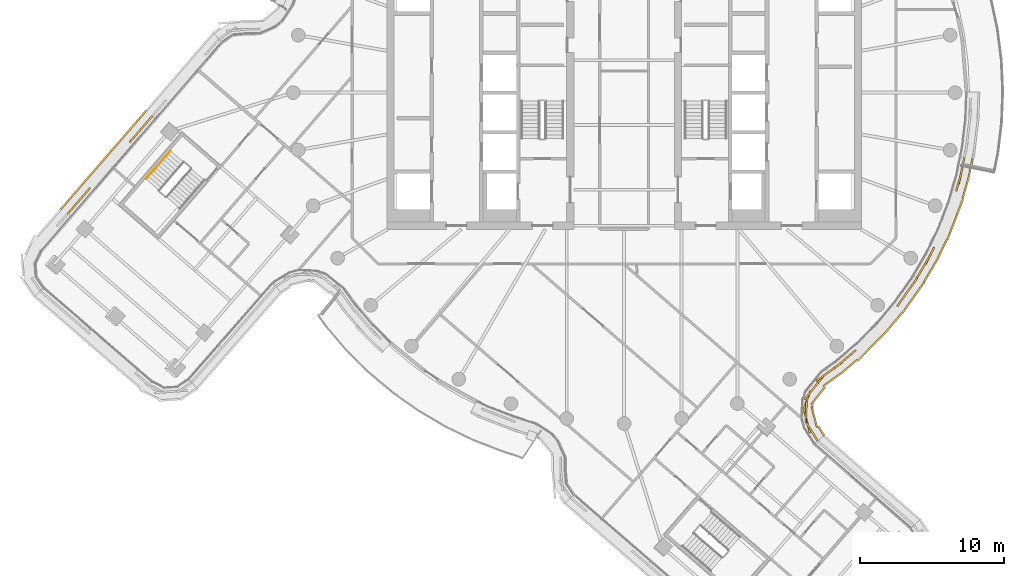
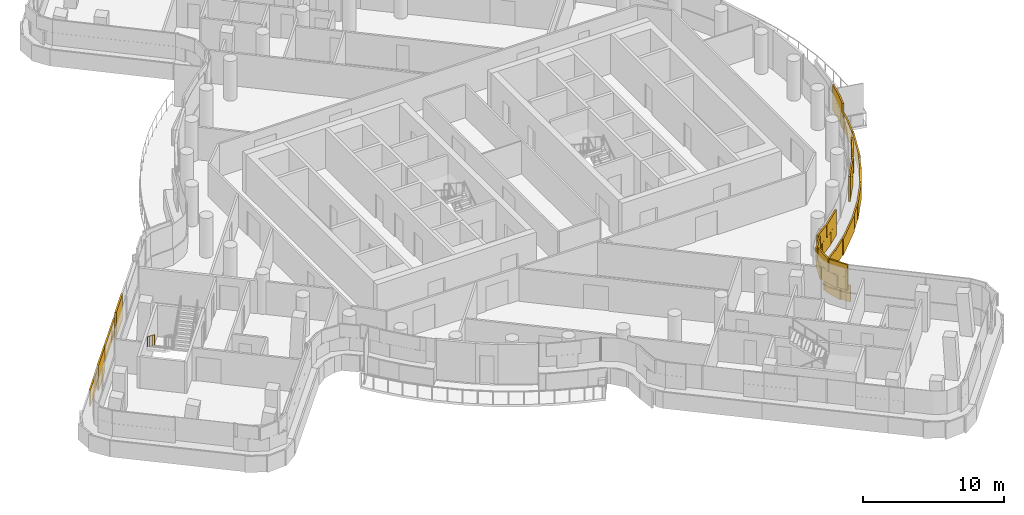
# One storey, part 27 of 32: 3 coverings, 1 railing.
"""IFC4 building model written with IfcOpenShell, lengths in metres."""

import ifcopenshell
import ifcopenshell.guid

model = None  # the IFC model being written
_history = None  # IfcOwnerHistory: only IFC2X3 demands one
_inside = {}  # id of a spatial element -> (the spatial element, [elements in it])
_under = {}  # id of a project, library or spatial element -> (it, [spatial elements below it])
_declared = {}  # id of a project -> (the project, [libraries it declares])
_typed = {}  # id of a type object -> (the type object, [elements of that type])
_made_of = {}  # id of a material, layer set ... -> (it, [elements and type objects made of it])


def new_model(schema):
    """Start an empty IFC model of exactly this schema.

    Asked for "IFC4X3", IfcOpenShell would pick the latest addendum, in which some entities
    have other attributes; the version numbers below select the first issue.
    IFC2X3 requires an IfcOwnerHistory on every rooted entity: one is made here for all.
    """
    global model, _history
    if schema == "IFC4X3":
        model = ifcopenshell.file(schema_version=(4, 3, 0, 0))
    else:
        model = ifcopenshell.file(schema=schema)
    _inside.clear()
    _under.clear()
    _declared.clear()
    _typed.clear()
    _made_of.clear()
    _history = None
    if model.schema == "IFC2X3":
        org = make("IfcOrganization", Name="unknown")
        user = make(
            "IfcPersonAndOrganization",
            ThePerson=make("IfcPerson", FamilyName="unknown"),
            TheOrganization=org,
        )
        app = make(
            "IfcApplication",
            ApplicationDeveloper=org,
            Version="unknown",
            ApplicationFullName="unknown",
            ApplicationIdentifier="unknown",
        )
        _history = make(
            "IfcOwnerHistory",
            OwningUser=user,
            OwningApplication=app,
            ChangeAction="ADDED",
            CreationDate=0,
        )
    return model


def make(cls, **values):
    """One entity of the class cls with the attributes given. An attribute that is None is left unset."""
    return model.create_entity(
        cls, **{name: value for name, value in values.items() if value is not None}
    )


def rooted(cls, **values):
    """An entity with a GlobalId (a new one), such as an element, a storey or a relation."""
    return make(cls, GlobalId=ifcopenshell.guid.new(), OwnerHistory=_history, **values)


def si_unit(unit_type, name, prefix=None):
    """IfcSIUnit, for example si_unit("LENGTHUNIT", "METRE", prefix="MILLI")."""
    return make("IfcSIUnit", UnitType=unit_type, Prefix=prefix, Name=name)


def assignment(units):
    """IfcUnitAssignment: the units of a project."""
    return None if units is None else make("IfcUnitAssignment", Units=units)


def point(xyz):
    """IfcCartesianPoint."""
    return None if xyz is None else make("IfcCartesianPoint", Coordinates=xyz)


def direction(xyz):
    """IfcDirection."""
    return None if xyz is None else make("IfcDirection", DirectionRatios=xyz)


def frame(location, z_axis=None, x_axis=None):
    """IfcAxis2Placement3D, a coordinate frame: its origin and axes. An axis left out is left unset."""
    return make(
        "IfcAxis2Placement3D",
        Location=point(location),
        Axis=direction(z_axis),
        RefDirection=direction(x_axis),
    )


def frame_2d(location, x_axis=None):
    """IfcAxis2Placement2D, a coordinate frame in the plane: its origin and x axis."""
    return make(
        "IfcAxis2Placement2D", Location=point(location), RefDirection=direction(x_axis)
    )


def origin():
    """The frame at (0, 0, 0) with its axes left unset."""
    return frame((0.0, 0.0, 0.0))


def origin_2d():
    """The frame at (0, 0) in the plane with its x axis left unset."""
    return frame_2d((0.0, 0.0))


def place(relative_to, where):
    """IfcLocalPlacement: puts the frame where relative to a parent placement (None: the world)."""
    return make(
        "IfcLocalPlacement", PlacementRelTo=relative_to, RelativePlacement=where
    )


def context(
    kind, dimensions, precision=None, world=None, true_north=None, identifier=None
):
    """IfcGeometricRepresentationContext, for example the 3D "Model" context."""
    return make(
        "IfcGeometricRepresentationContext",
        ContextIdentifier=identifier,
        ContextType=kind,
        CoordinateSpaceDimension=dimensions,
        Precision=precision,
        WorldCoordinateSystem=world,
        TrueNorth=true_north,
    )


def subcontext(parent, identifier, kind, view, scale=None):
    """IfcGeometricRepresentationSubContext, for example "Body" below "Model"."""
    return make(
        "IfcGeometricRepresentationSubContext",
        ContextIdentifier=identifier,
        ContextType=kind,
        ParentContext=parent,
        TargetScale=scale,
        TargetView=view,
    )


def project(units=None, contexts=None):
    """IfcProject with its units and contexts."""
    return rooted(
        "IfcProject",
        Name="project",
        RepresentationContexts=contexts,
        UnitsInContext=assignment(units),
    )


def spatial(cls, under=None, at=None, **own):
    """A site, building, storey or space (cls), placed at a placement, below another one or the project."""
    s = rooted(cls, ObjectPlacement=at, **own)
    if under is not None:
        _under.setdefault(under.id(), (under, []))[1].append(s)
    return s


def profile(cls, at=None, kind="AREA", **sizes):
    """A parametric profile (cls). Its sizes go by their IFC names, for example OverallWidth=200.0."""
    return make(cls, ProfileType=kind, Position=at, **sizes)


def rectangle(**sizes):
    """IfcRectangleProfileDef."""
    return profile("IfcRectangleProfileDef", **sizes)


def circle(**sizes):
    """IfcCircleProfileDef."""
    return profile("IfcCircleProfileDef", **sizes)


def extrude(swept, where, along, depth):
    """IfcExtrudedAreaSolid: the profile swept, set in the frame where, extruded along a direction by depth."""
    return make(
        "IfcExtrudedAreaSolid",
        SweptArea=swept,
        Position=where,
        ExtrudedDirection=direction(along),
        Depth=depth,
    )


def shape(context_of_items, identifier, shape_type, items):
    """IfcShapeRepresentation: the items that make up one representation, for example the "Body"."""
    return make(
        "IfcShapeRepresentation",
        ContextOfItems=context_of_items,
        RepresentationIdentifier=identifier,
        RepresentationType=shape_type,
        Items=items,
    )


def material(Name=None, Category=None):
    """IfcMaterial."""
    return make("IfcMaterial", Name=Name, Category=Category)


def layer(
    of_material, thickness, ventilated=None, Name=None, Category=None, Priority=None
):
    """IfcMaterialLayer: one layer of a wall or slab, of a material (None: an air gap)."""
    return make(
        "IfcMaterialLayer",
        Material=of_material,
        LayerThickness=thickness,
        IsVentilated=ventilated,
        Name=Name,
        Category=Category,
        Priority=Priority,
    )


def layer_set(layers, Name=None):
    """IfcMaterialLayerSet."""
    return make("IfcMaterialLayerSet", MaterialLayers=layers, LayerSetName=Name)


def made_of(thing, what):
    """Note that an element or type object is made of a material, layer set ...; save() writes the relation."""
    if what is not None:
        _made_of.setdefault(what.id(), (what, []))[1].append(thing)
    return thing


def type_object(cls, material=None, **own):
    """A type object (cls), such as IfcWallType, which elements share."""
    return made_of(rooted(cls, **own), material)


def element(
    cls,
    number,
    at=None,
    inside=None,
    cuts=None,
    type_object=None,
    material=None,
    context=None,
    identifier="Body",
    shape_type=None,
    held_by="IfcProductDefinitionShape",
    body=None,
    shapes=None,
    **own,
):
    """One element of the class cls, such as IfcWall. Its Tag is "e" and its number.

    at: its placement. inside: the storey or other place that contains it. cuts: it is an
    opening in that element (IfcRelVoidsElement). A single representation is given by context,
    identifier, shape_type and body (its items); several are given by shapes. held_by: the class
    of the entity that holds the representations. save() writes the other relations.
    """
    e = rooted(cls, Tag="e%d" % number, ObjectPlacement=at, **own)
    if body is not None:
        shapes = [shape(context, identifier, shape_type, body)]
    if shapes is not None:
        e.Representation = make(held_by, Representations=shapes)
    if inside is not None:
        _inside.setdefault(inside.id(), (inside, []))[1].append(e)
    if cuts is not None:
        rooted(
            "IfcRelVoidsElement", RelatingBuildingElement=cuts, RelatedOpeningElement=e
        )
    if type_object is not None:
        _typed.setdefault(type_object.id(), (type_object, []))[1].append(e)
    return made_of(e, material)


def aggregate(whole, parts):
    """IfcRelAggregates: a whole, such as a stair, and the parts it consists of."""
    return rooted("IfcRelAggregates", RelatingObject=whole, RelatedObjects=parts)


def save(model, path):
    """Write the relations noted so far, then the file.

    IfcRelAggregates (storeys below a building ...), IfcRelContainedInSpatialStructure (elements
    in a storey), IfcRelDefinesByType, IfcRelAssociatesMaterial and IfcRelDeclares: one each for
    every whole, place, type object, material and project.
    """
    for whole, parts in _under.values():
        aggregate(whole, parts)
    for where, things in _inside.values():
        rooted(
            "IfcRelContainedInSpatialStructure",
            RelatedElements=things,
            RelatingStructure=where,
        )
    for kind, things in _typed.values():
        rooted("IfcRelDefinesByType", RelatedObjects=things, RelatingType=kind)
    for what, things in _made_of.values():
        rooted("IfcRelAssociatesMaterial", RelatedObjects=things, RelatingMaterial=what)
    for by, libraries in _declared.values():
        rooted("IfcRelDeclares", RelatingContext=by, RelatedDefinitions=libraries)
    model.write(path)


model = new_model("IFC4")

# Units and contexts
model_context = context("Model", 3, precision=1e-05, world=origin(), true_north=direction((0.0, 1.0)))
body_context = subcontext(model_context, "Body", "Model", "MODEL_VIEW")
ifc_project = project(units=[si_unit("LENGTHUNIT", "METRE"), si_unit("AREAUNIT", "SQUARE_METRE"), si_unit("VOLUMEUNIT", "CUBIC_METRE"), si_unit("PLANEANGLEUNIT", "RADIAN"), si_unit("MASSUNIT", "GRAM", prefix="KILO")], contexts=[model_context])

# Site, building, storey
site_placement = place(None, origin())
site = spatial("IfcSite", under=ifc_project, at=site_placement, CompositionType="ELEMENT")
building_placement = place(site_placement, origin())
building = spatial("IfcBuilding", under=site, at=building_placement, Name="Tamarind Cross Interchange Tower", CompositionType="ELEMENT")
storey_placement = place(building_placement, frame((0.0, 0.0, 211.300048828125)))
storey = spatial("IfcBuildingStorey", under=building, at=storey_placement, Name="L53", CompositionType="ELEMENT", Elevation=211.300048828125)

# Railing
ifc_material_1 = material(Name="Stair handrail")
railing_type = type_object("IfcRailingType", Name="Stair handrail", PredefinedType="HANDRAIL", material=ifc_material_1)
railing_placement = place(storey_placement, frame((-31.52783203125, -4.05126953125, 0.16357421875)))
element("IfcRailing", 1, at=railing_placement, inside=storey, type_object=railing_type, Name="L53 ST5 stair handrail 1", PredefinedType="HANDRAIL", context=body_context, shape_type="SweptSolid", body=[
    extrude(circle(Radius=0.02392578125, at=origin_2d()), frame((0.0, 0.0, 0.8759765625), z_axis=(-0.554064099018, -0.639732644448, 0.532686697607), x_axis=(0.755905920123, -0.654680257776, 0.0)), (0.0, 0.0, 1.0), 3.072021484375),
    extrude(circle(Radius=0.02099609375, at=origin_2d()), origin(), (0.0, 0.0, 1.0), 0.851806640625),
    extrude(circle(Radius=0.02099609375, at=origin_2d()), frame((-0.5673828125, -0.655029296875, 0.54541015625)), (0.0, 0.0, 1.0), 0.851806640625),
    extrude(circle(Radius=0.02099609375, at=origin_2d()), frame((-1.134765625, -1.310302734375, 1.091064453125)), (0.0, 0.0, 1.0), 0.851806640625),
    extrude(circle(Radius=0.02099609375, at=origin_2d()), frame((-1.7021484375, -1.96533203125, 1.636474609375)), (0.0, 0.0, 1.0), 0.851806640625),
])

# Coverings
ifc_material_2 = material(Name="Terracotta", Category="masonry")
ifc_layer = layer(ifc_material_2, 0.1201171875)
ifc_layer_set = layer_set([ifc_layer], Name="Terracotta")
covering_type = type_object("IfcCoveringType", Name="Terracotta baguette screen unit", PredefinedType="MOLDING", material=ifc_layer_set)
covering_1_placement = place(storey_placement, origin())
element("IfcCovering", 2, at=covering_1_placement, inside=storey, type_object=covering_type, Name="SCR-L53-06-00", PredefinedType="MOLDING", context=body_context, shape_type="SweptSolid", body=[
    extrude(rectangle(XDim=0.760009765625, YDim=0.1201171875, at=origin_2d()), frame((13.257568359375, -23.89599609375, 1.40380859375), z_axis=(0.0, 0.0, 1.0), x_axis=(-0.527584380313, 0.849502631927, 0.0)), (0.0, 0.0, 1.0), 1.092041015625),
    extrude(rectangle(XDim=1.52001953125, YDim=0.1201171875, at=origin_2d()), frame((12.719482421875, -22.91650390625, 1.40380859375), z_axis=(0.0, 0.0, 1.0), x_axis=(-0.251717561508, 0.96780073839, 0.0)), (0.0, 0.0, 1.0), 1.092041015625),
    extrude(rectangle(XDim=1.52001953125, YDim=0.1201171875, at=origin_2d()), frame((12.685546875, -21.42919921875, 1.40380859375), z_axis=(0.0, 0.0, 1.0), x_axis=(0.341154960714, 0.940007070601, 0.0)), (0.0, 0.0, 1.0), 1.092041015625),
    extrude(rectangle(XDim=1.52001953125, YDim=0.1201171875, at=origin_2d()), frame((13.46875, -20.172119140625, 1.40380859375), z_axis=(0.0, 0.0, 1.0), x_axis=(0.62651097802, 0.779412595754, 0.0)), (0.0, 0.0, 1.0), 1.092041015625),
    extrude(rectangle(XDim=1.52001953125, YDim=0.1201171875, at=origin_2d()), frame((14.5654296875, -19.16796875, 1.40380859375), z_axis=(0.0, 0.0, 1.0), x_axis=(0.809855833413, 0.586628953503, 0.0)), (0.0, 0.0, 1.0), 1.092041015625),
    extrude(rectangle(XDim=1.255859375, YDim=0.1201171875, at=origin_2d()), frame((15.62841796875, -18.30029296875, 1.40380859375), z_axis=(0.0, 0.0, 1.0), x_axis=(0.760295606781, 0.64957723968, 0.0)), (0.0, 0.0, 1.0), 1.092041015625),
    extrude(rectangle(XDim=0.564208984375, YDim=0.1201171875, at=origin_2d()), frame((19.138916015625, -14.61572265625, 1.40380859375), z_axis=(0.0, 0.0, 1.0), x_axis=(0.577568978284, 0.816341886298, 0.0)), (0.0, 0.0, 1.0), 1.092041015625),
    extrude(rectangle(XDim=1.52001953125, YDim=0.1201171875, at=origin_2d()), frame((19.73193359375, -13.77734375, 1.40380859375), z_axis=(0.0, 0.0, 1.0), x_axis=(0.577568978284, 0.816341886298, 0.0)), (0.0, 0.0, 1.0), 1.092041015625),
    extrude(rectangle(XDim=0.373046875, YDim=0.1201171875, at=origin_2d()), frame((20.26416015625, -13.01318359375, 1.40380859375), z_axis=(0.0, 0.0, 1.0), x_axis=(0.508183308752, 0.861248933065, 0.0)), (0.0, 0.0, 1.0), 1.092041015625),
    extrude(rectangle(XDim=1.510009765625, YDim=0.1201171875, at=origin_2d()), frame((13.0595703125, -23.577392578125, 2.50390625), z_axis=(0.0, 0.0, 1.0), x_axis=(-0.527584380313, 0.849502631927, 0.0)), (0.0, 0.0, 1.0), 1.092041015625),
    extrude(rectangle(XDim=1.52001953125, YDim=0.1201171875, at=origin_2d()), frame((12.649658203125, -22.17822265625, 2.50390625), z_axis=(0.0, 0.0, 1.0), x_axis=(0.046828240266, 0.998902956204, 0.0)), (0.0, 0.0, 1.0), 1.092041015625),
    extrude(rectangle(XDim=1.52001953125, YDim=0.1201171875, at=origin_2d()), frame((12.998779296875, -20.756591796875, 2.50390625), z_axis=(0.0, 0.0, 1.0), x_axis=(0.62651097802, 0.779412595754, 0.0)), (0.0, 0.0, 1.0), 1.092041015625),
    extrude(rectangle(XDim=1.52001953125, YDim=0.1201171875, at=origin_2d()), frame((13.9580078125, -19.60791015625, 2.50390625), z_axis=(0.0, 0.0, 1.0), x_axis=(0.809855833413, 0.586628953503, 0.0)), (0.0, 0.0, 1.0), 1.092041015625),
    extrude(rectangle(XDim=1.52001953125, YDim=0.1201171875, at=origin_2d()), frame((15.15478515625, -18.705078125, 2.50390625), z_axis=(0.0, 0.0, 1.0), x_axis=(0.760295606781, 0.64957723968, 0.0)), (0.0, 0.0, 1.0), 1.092041015625),
    extrude(rectangle(XDim=0.505859375, YDim=0.1201171875, at=origin_2d()), frame((15.913330078125, -18.056640625, 2.50390625), z_axis=(0.0, 0.0, 1.0), x_axis=(0.760295606781, 0.64957723968, 0.0)), (0.0, 0.0, 1.0), 1.092041015625),
    extrude(rectangle(XDim=1.314208984375, YDim=0.1201171875, at=origin_2d()), frame((19.35546875, -14.3095703125, 2.50390625), z_axis=(0.0, 0.0, 1.0), x_axis=(0.577568978284, 0.816341886298, 0.0)), (0.0, 0.0, 1.0), 1.092041015625),
    extrude(rectangle(XDim=1.123046875, YDim=0.1201171875, at=origin_2d()), frame((20.053466796875, -13.322998046875, 2.50390625), z_axis=(0.0, 0.0, 1.0), x_axis=(0.577568978284, 0.816341886298, 0.0)), (0.0, 0.0, 1.0), 1.092041015625),
    extrude(rectangle(XDim=0.760009765625, YDim=0.1201171875, at=origin_2d()), frame((13.697265625, -23.51611328125, 0.00390625), z_axis=(0.0, 0.0, 1.0), x_axis=(-0.527584380313, 0.849502631927, 0.0)), (0.0, 0.0, 1.0), 1.39208984375),
    extrude(rectangle(XDim=1.52001953125, YDim=0.1201171875, at=origin_2d()), frame((13.20947265625, -22.5205078125, 0.00390625), z_axis=(0.0, 0.0, 1.0), x_axis=(-0.251717561508, 0.96780073839, 0.0)), (0.0, 0.0, 1.0), 1.39208984375),
    extrude(rectangle(XDim=1.52001953125, YDim=0.1201171875, at=origin_2d()), frame((13.476806640625, -21.078125, 0.00390625), z_axis=(0.0, 0.0, 1.0), x_axis=(0.62651097802, 0.779412595754, 0.0)), (0.0, 0.0, 1.0), 1.39208984375),
    extrude(rectangle(XDim=1.52001953125, YDim=0.1201171875, at=origin_2d()), frame((14.459228515625, -19.953857421875, 0.00390625), z_axis=(0.0, 0.0, 1.0), x_axis=(0.809855833413, 0.586628953503, 0.0)), (0.0, 0.0, 1.0), 1.39208984375),
    extrude(rectangle(XDim=1.52001953125, YDim=0.1201171875, at=origin_2d()), frame((15.64697265625, -19.039306640625, 0.00390625), z_axis=(0.0, 0.0, 1.0), x_axis=(0.760295606781, 0.64957723968, 0.0)), (0.0, 0.0, 1.0), 1.39208984375),
    extrude(rectangle(XDim=1.52001953125, YDim=0.1201171875, at=origin_2d()), frame((16.786865234375, -18.064453125, 0.00390625), z_axis=(0.0, 0.0, 1.0), x_axis=(0.704057148523, 0.710143317658, 0.0)), (0.0, 0.0, 1.0), 1.39208984375),
    extrude(rectangle(XDim=1.52001953125, YDim=0.1201171875, at=origin_2d()), frame((17.843017578125, -16.999267578125, 0.00390625), z_axis=(0.0, 0.0, 1.0), x_axis=(0.704057148523, 0.710143317658, 0.0)), (0.0, 0.0, 1.0), 1.39208984375),
    extrude(rectangle(XDim=1.52001953125, YDim=0.1201171875, at=origin_2d()), frame((18.839599609375, -15.8798828125, 0.00390625), z_axis=(0.0, 0.0, 1.0), x_axis=(0.643009266048, 0.765858396687, 0.0)), (0.0, 0.0, 1.0), 1.39208984375),
    extrude(rectangle(XDim=1.52001953125, YDim=0.1201171875, at=origin_2d()), frame((19.77587890625, -14.709228515625, 0.00390625), z_axis=(0.0, 0.0, 1.0), x_axis=(0.577568978284, 0.816341886298, 0.0)), (0.0, 0.0, 1.0), 1.39208984375),
    extrude(rectangle(XDim=1.138427734375, YDim=0.1201171875, at=origin_2d()), frame((20.531982421875, -13.640380859375, 0.00390625), z_axis=(0.0, 0.0, 1.0), x_axis=(0.577568978284, 0.816341886298, 0.0)), (0.0, 0.0, 1.0), 1.39208984375),
])
covering_2_placement = place(storey_placement, origin())
element("IfcCovering", 3, at=covering_2_placement, inside=storey, type_object=covering_type, Name="SCR-L53-06-01", PredefinedType="MOLDING", context=body_context, shape_type="SweptSolid", body=[
    extrude(rectangle(XDim=1.14697265625, YDim=0.1201171875, at=origin_2d()), frame((20.645263671875, -12.3671875, 1.40380859375), z_axis=(0.0, 0.0, 1.0), x_axis=(0.508183308752, 0.861248933065, 0.0)), (0.0, 0.0, 1.0), 1.092041015625),
    extrude(rectangle(XDim=1.294677734375, YDim=0.1201171875, at=origin_2d()), frame((21.256591796875, -11.322021484375, 1.40380859375), z_axis=(0.0, 0.0, 1.0), x_axis=(0.435326231914, 0.900272776334, 0.0)), (0.0, 0.0, 1.0), 1.092041015625),
    extrude(rectangle(XDim=0.525390625, YDim=0.1201171875, at=origin_2d()), frame((23.144775390625, -6.595458984375, 1.40380859375), z_axis=(0.0, 0.0, 1.0), x_axis=(0.281208920763, 0.95964657186, 0.0)), (0.0, 0.0, 1.0), 1.092041015625),
    extrude(rectangle(XDim=1.52001953125, YDim=0.1201171875, at=origin_2d()), frame((23.41259765625, -5.624755859375, 1.40380859375), z_axis=(0.0, 0.0, 1.0), x_axis=(0.201001463943, 0.9795909409, 0.0)), (0.0, 0.0, 1.0), 1.092041015625),
    extrude(rectangle(XDim=0.416259765625, YDim=0.1201171875, at=origin_2d()), frame((23.604248046875, -4.69091796875, 1.40380859375), z_axis=(0.0, 0.0, 1.0), x_axis=(0.201001463943, 0.9795909409, 0.0)), (0.0, 0.0, 1.0), 1.092041015625),
    extrude(rectangle(XDim=0.39697265625, YDim=0.1201171875, at=origin_2d()), frame((20.45458984375, -12.690185546875, 2.50390625), z_axis=(0.0, 0.0, 1.0), x_axis=(0.508183308752, 0.861248933065, 0.0)), (0.0, 0.0, 1.0), 1.092041015625),
    extrude(rectangle(XDim=1.52001953125, YDim=0.1201171875, at=origin_2d()), frame((20.93408203125, -11.87744140625, 2.50390625), z_axis=(0.0, 0.0, 1.0), x_axis=(0.508183308752, 0.861248933065, 0.0)), (0.0, 0.0, 1.0), 1.092041015625),
    extrude(rectangle(XDim=0.544677734375, YDim=0.1201171875, at=origin_2d()), frame((21.419677734375, -10.984619140625, 2.50390625), z_axis=(0.0, 0.0, 1.0), x_axis=(0.435326231914, 0.900272776334, 0.0)), (0.0, 0.0, 1.0), 1.092041015625),
    extrude(rectangle(XDim=1.275390625, YDim=0.1201171875, at=origin_2d()), frame((23.250244140625, -6.235595703125, 2.50390625), z_axis=(0.0, 0.0, 1.0), x_axis=(0.281208920763, 0.95964657186, 0.0)), (0.0, 0.0, 1.0), 1.092041015625),
    extrude(rectangle(XDim=1.166259765625, YDim=0.1201171875, at=origin_2d()), frame((23.52880859375, -5.058349609375, 2.50390625), z_axis=(0.0, 0.0, 1.0), x_axis=(0.201001463943, 0.9795909409, 0.0)), (0.0, 0.0, 1.0), 1.092041015625),
    extrude(rectangle(XDim=0.381591796875, YDim=0.1201171875, at=origin_2d()), frame((20.938720703125, -12.999267578125, 0.00390625), z_axis=(0.0, 0.0, 1.0), x_axis=(0.508183308752, 0.861248933065, 0.0)), (0.0, 0.0, 1.0), 1.39208984375),
    extrude(rectangle(XDim=1.52001953125, YDim=0.1201171875, at=origin_2d()), frame((21.411865234375, -12.197509765625, 0.00390625), z_axis=(0.0, 0.0, 1.0), x_axis=(0.508183308752, 0.861248933065, 0.0)), (0.0, 0.0, 1.0), 1.39208984375),
    extrude(rectangle(XDim=1.52001953125, YDim=0.1201171875, at=origin_2d()), frame((22.111572265625, -10.872314453125, 0.00390625), z_axis=(0.0, 0.0, 1.0), x_axis=(0.435326231914, 0.900272776334, 0.0)), (0.0, 0.0, 1.0), 1.39208984375),
    extrude(rectangle(XDim=1.52001953125, YDim=0.1201171875, at=origin_2d()), frame((22.740478515625, -9.51123046875, 0.00390625), z_axis=(0.0, 0.0, 1.0), x_axis=(0.359495435512, 0.933146843667, 0.0)), (0.0, 0.0, 1.0), 1.39208984375),
    extrude(rectangle(XDim=1.52001953125, YDim=0.1201171875, at=origin_2d()), frame((23.27978515625, -8.111572265625, 0.00390625), z_axis=(0.0, 0.0, 1.0), x_axis=(0.359495435512, 0.933146843667, 0.0)), (0.0, 0.0, 1.0), 1.39208984375),
    extrude(rectangle(XDim=1.52001953125, YDim=0.1201171875, at=origin_2d()), frame((23.71875, -6.677978515625, 0.00390625), z_axis=(0.0, 0.0, 1.0), x_axis=(0.281208920763, 0.95964657186, 0.0)), (0.0, 0.0, 1.0), 1.39208984375),
    extrude(rectangle(XDim=1.397705078125, YDim=0.1201171875, at=origin_2d()), frame((24.068603515625, -5.28369140625, 0.00390625), z_axis=(0.0, 0.0, 1.0), x_axis=(0.201001463943, 0.9795909409, 0.0)), (0.0, 0.0, 1.0), 1.39208984375),
])
covering_3_placement = place(storey_placement, origin())
element("IfcCovering", 4, at=covering_3_placement, inside=storey, type_object=covering_type, Name="SCR-L53-11-01", PredefinedType="MOLDING", context=body_context, shape_type="SweptSolid", body=[
    extrude(rectangle(XDim=1.190673828125, YDim=0.1201171875, at=origin_2d()), frame((-33.177734375, -2.076416015625, 1.40380859375), z_axis=(0.0, 0.0, 1.0), x_axis=(-0.654666934653, -0.755917458902, 0.0)), (0.0, 0.0, 1.0), 1.092041015625),
    extrude(rectangle(XDim=1.23486328125, YDim=0.1201171875, at=origin_2d()), frame((-33.965087890625, -2.985595703125, 1.40380859375), z_axis=(0.0, 0.0, 1.0), x_axis=(-0.654666934653, -0.755917458902, 0.0)), (0.0, 0.0, 1.0), 1.092041015625),
    extrude(rectangle(XDim=0.585205078125, YDim=0.1201171875, at=origin_2d()), frame((-37.303955078125, -6.8408203125, 1.40380859375), z_axis=(0.0, 0.0, 1.0), x_axis=(-0.654666934653, -0.755917458902, 0.0)), (0.0, 0.0, 1.0), 1.092041015625),
    extrude(rectangle(XDim=1.52001953125, YDim=0.1201171875, at=origin_2d()), frame((-37.983154296875, -7.625244140625, 1.40380859375), z_axis=(0.0, 0.0, 1.0), x_axis=(-0.654666934653, -0.755917458902, 0.0)), (0.0, 0.0, 1.0), 1.092041015625),
    extrude(rectangle(XDim=0.34033203125, YDim=0.1201171875, at=origin_2d()), frame((-38.582275390625, -8.31689453125, 1.40380859375), z_axis=(0.0, 0.0, 1.0), x_axis=(-0.654666934653, -0.755917458902, 0.0)), (0.0, 0.0, 1.0), 1.092041015625),
    extrude(rectangle(XDim=0.440673828125, YDim=0.1201171875, at=origin_2d()), frame((-32.93212890625, -1.79296875, 2.50390625), z_axis=(0.0, 0.0, 1.0), x_axis=(-0.654666934653, -0.755917458902, 0.0)), (0.0, 0.0, 1.0), 1.092041015625),
    extrude(rectangle(XDim=1.52001953125, YDim=0.1201171875, at=origin_2d()), frame((-33.564208984375, -2.522705078125, 2.50390625), z_axis=(0.0, 0.0, 1.0), x_axis=(-0.654666934653, -0.755917458902, 0.0)), (0.0, 0.0, 1.0), 1.092041015625),
    extrude(rectangle(XDim=0.48486328125, YDim=0.1201171875, at=origin_2d()), frame((-34.210693359375, -3.269287109375, 2.50390625), z_axis=(0.0, 0.0, 1.0), x_axis=(-0.654666934653, -0.755917458902, 0.0)), (0.0, 0.0, 1.0), 1.092041015625),
    extrude(rectangle(XDim=1.335205078125, YDim=0.1201171875, at=origin_2d()), frame((-37.54931640625, -7.124267578125, 2.50390625), z_axis=(0.0, 0.0, 1.0), x_axis=(-0.654666934653, -0.755917458902, 0.0)), (0.0, 0.0, 1.0), 1.092041015625),
    extrude(rectangle(XDim=1.09033203125, YDim=0.1201171875, at=origin_2d()), frame((-38.3369140625, -8.033447265625, 2.50390625), z_axis=(0.0, 0.0, 1.0), x_axis=(-0.654666934653, -0.755917458902, 0.0)), (0.0, 0.0, 1.0), 1.092041015625),
    extrude(rectangle(XDim=1.135986328125, YDim=0.1201171875, at=origin_2d()), frame((-33.584716796875, -1.669677734375, 0.00390625), z_axis=(0.0, 0.0, 1.0), x_axis=(-0.654666934653, -0.755917458902, 0.0)), (0.0, 0.0, 1.0), 1.39208984375),
    extrude(rectangle(XDim=1.52001953125, YDim=0.1201171875, at=origin_2d()), frame((-34.44091796875, -2.658203125, 0.00390625), z_axis=(0.0, 0.0, 1.0), x_axis=(-0.654666934653, -0.755917458902, 0.0)), (0.0, 0.0, 1.0), 1.39208984375),
    extrude(rectangle(XDim=1.52001953125, YDim=0.1201171875, at=origin_2d()), frame((-35.4228515625, -3.792236328125, 0.00390625), z_axis=(0.0, 0.0, 1.0), x_axis=(-0.654666934653, -0.755917458902, 0.0)), (0.0, 0.0, 1.0), 1.39208984375),
    extrude(rectangle(XDim=1.52001953125, YDim=0.1201171875, at=origin_2d()), frame((-36.40478515625, -4.926025390625, 0.00390625), z_axis=(0.0, 0.0, 1.0), x_axis=(-0.654666934653, -0.755917458902, 0.0)), (0.0, 0.0, 1.0), 1.39208984375),
    extrude(rectangle(XDim=1.52001953125, YDim=0.1201171875, at=origin_2d()), frame((-37.386962890625, -6.059814453125, 0.00390625), z_axis=(0.0, 0.0, 1.0), x_axis=(-0.654666934653, -0.755917458902, 0.0)), (0.0, 0.0, 1.0), 1.39208984375),
    extrude(rectangle(XDim=1.52001953125, YDim=0.1201171875, at=origin_2d()), frame((-38.368896484375, -7.19384765625, 0.00390625), z_axis=(0.0, 0.0, 1.0), x_axis=(-0.654666934653, -0.755917458902, 0.0)), (0.0, 0.0, 1.0), 1.39208984375),
    extrude(rectangle(XDim=0.46484375, YDim=0.1201171875, at=origin_2d()), frame((-39.00537109375, -7.928955078125, 0.00390625), z_axis=(0.0, 0.0, 1.0), x_axis=(-0.654666934653, -0.755917458902, 0.0)), (0.0, 0.0, 1.0), 1.39208984375),
])

save(model, "model.ifc")
